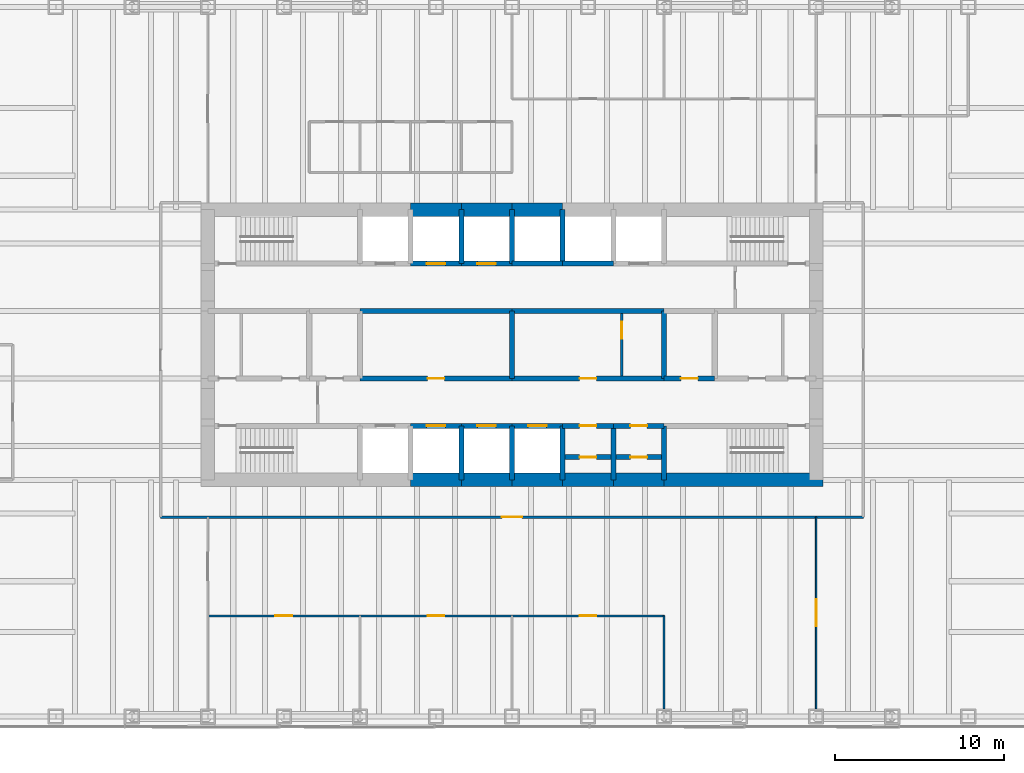
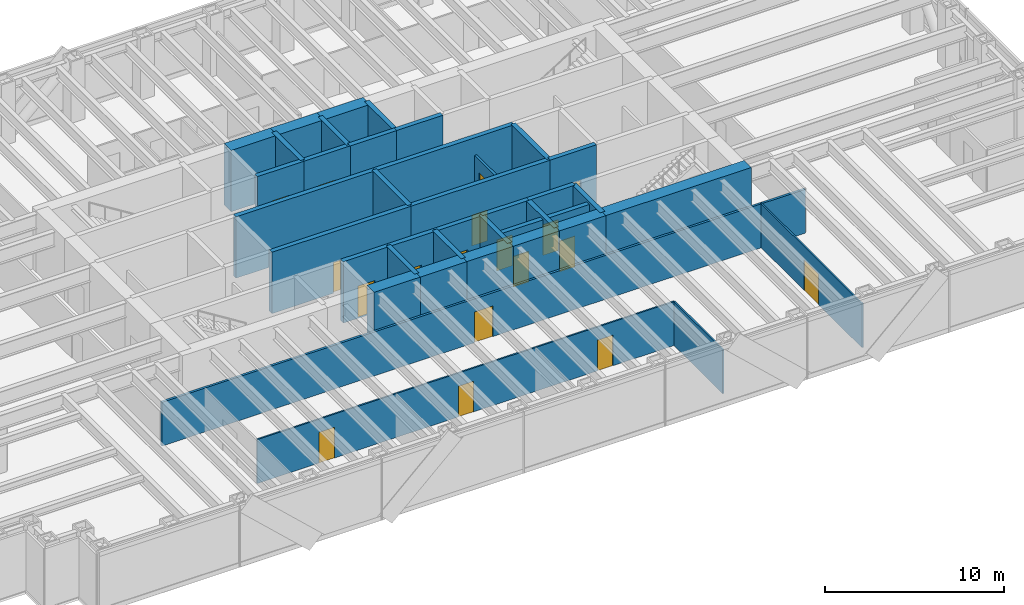
# One storey, part 11 of 14: 40 walls, 18 doors, 18 openings.
"""IFC4 building model written with IfcOpenShell, lengths in metres."""

from ifc_helpers import new_model, si_unit, direction, frame, frame_2d, origin, place, context, subcontext, project, spatial, rectangle, extrude, material, layer, layer_set, type_object, element, fill, save


model = new_model("IFC4")

# Units and contexts
model_context = context("Model", 3, precision=1e-05, world=origin(), true_north=direction((0.0, 1.0)))
body_context = subcontext(model_context, "Body", "Model", "MODEL_VIEW")
ifc_project = project(units=[si_unit("LENGTHUNIT", "METRE"), si_unit("AREAUNIT", "SQUARE_METRE"), si_unit("VOLUMEUNIT", "CUBIC_METRE"), si_unit("PLANEANGLEUNIT", "RADIAN"), si_unit("MASSUNIT", "GRAM", prefix="KILO")], contexts=[model_context])

# Site, building, storey
site_placement = place(None, origin())
site = spatial("IfcSite", under=ifc_project, at=site_placement, CompositionType="ELEMENT")
building_placement = place(site_placement, origin())
building = spatial("IfcBuilding", under=site, at=building_placement, Name="Rheinbord Bourse Tower", CompositionType="ELEMENT")
storey_placement = place(building_placement, frame((0.0, 0.0, 202.60009765625)))
storey = spatial("IfcBuildingStorey", under=building, at=storey_placement, Name="L45", CompositionType="ELEMENT", Elevation=202.60009765625)

# Wall, opening, door
ifc_material_1 = material(Name="Concrete C50/60", Category="concrete")
ifc_layer_1 = layer(ifc_material_1, 0.300048828125)
ifc_layer_set_1 = layer_set([ifc_layer_1], Name="CORE INNER WALL 300")
wall_type_1 = type_object("IfcWallType", Name="CORE INNER WALL 300", PredefinedType="SOLIDWALL", material=ifc_layer_set_1)
wall_1_placement = place(storey_placement, frame((30.0, 19.199951171875, 0.0), z_axis=(0.0, 0.0, 1.0), x_axis=(1.0, 0.0, 0.0)))
wall_1 = element("IfcWall", 1, at=wall_1_placement, inside=storey, type_object=wall_type_1, Name="Core wall A3 L45", PredefinedType="SOLIDWALL", context=body_context, shape_type="SweptSolid", body=[
    extrude(rectangle(XDim=3.0, YDim=0.300048828125, at=frame_2d((1.5, 0.0))), origin(), (0.0, 0.0, 1.0), 4.199951171875),
])
opening_1_placement = place(wall_1_placement, frame((0.949951171875, 0.0, 0.0)))
opening_1 = element("IfcOpeningElement", 2, at=opening_1_placement, cuts=wall_1, Name="Opening PC1", PredefinedType="OPENING", context=body_context, shape_type="SweptSolid", body=[
    extrude(rectangle(XDim=1.10009765625, YDim=2.199951171875, at=frame_2d((0.550048828125, 1.10009765625))), frame((0.0, 0.159912109375, 0.0), z_axis=(0.0, -1.0, 0.0), x_axis=(1.0, 0.0, 0.0)), (0.0, 0.0, 1.0), 0.320068359375),
])
ifc_material_2 = material(Name="Steel landing door", Category="steel")
door_type_1 = type_object("IfcDoorType", Name="LIFT LANDING DOOR 1100", OperationType="DOUBLE_DOOR_SLIDING", PredefinedType="USERDEFINED", material=ifc_material_2)
door_1_placement = place(opening_1_placement, origin())
door_1 = element("IfcDoor", 3, at=door_1_placement, inside=storey, type_object=door_type_1, Name="Lift landing door PC1 L45", ObjectType="LIFT LANDING DOOR", OperationType="DOUBLE_DOOR_SLIDING", OverallHeight=2.199951171875, OverallWidth=1.10009765625, PredefinedType="USERDEFINED", context=body_context, shape_type="SweptSolid", body=[
    extrude(rectangle(XDim=1.10009765625, YDim=2.199951171875, at=frame_2d((0.550048828125, 1.10009765625))), frame((0.0, 0.02490234375, 0.0), z_axis=(0.0, -1.0, 0.0), x_axis=(1.0, 0.0, 0.0)), (0.0, 0.0, 1.0), 0.050048828125),
])
fill(opening_1, door_1)

wall_2_placement = place(storey_placement, frame((33.0, 19.199951171875, 0.0), z_axis=(0.0, 0.0, 1.0), x_axis=(1.0, 0.0, 0.0)))
wall_2 = element("IfcWall", 4, at=wall_2_placement, inside=storey, type_object=wall_type_1, Name="Core wall A4 L45", PredefinedType="SOLIDWALL", context=body_context, shape_type="SweptSolid", body=[
    extrude(rectangle(XDim=3.0, YDim=0.300048828125, at=frame_2d((1.5, 0.0))), origin(), (0.0, 0.0, 1.0), 4.199951171875),
])
opening_2_placement = place(wall_2_placement, frame((0.949951171875, 0.0, 0.0)))
opening_2 = element("IfcOpeningElement", 5, at=opening_2_placement, cuts=wall_2, Name="Opening PC2", PredefinedType="OPENING", context=body_context, shape_type="SweptSolid", body=[
    extrude(rectangle(XDim=1.10009765625, YDim=2.199951171875, at=frame_2d((0.550048828125, 1.10009765625))), frame((0.0, 0.159912109375, 0.0), z_axis=(0.0, -1.0, 0.0), x_axis=(1.0, 0.0, 0.0)), (0.0, 0.0, 1.0), 0.320068359375),
])
door_2_placement = place(opening_2_placement, origin())
door_2 = element("IfcDoor", 6, at=door_2_placement, inside=storey, type_object=door_type_1, Name="Lift landing door PC2 L45", ObjectType="LIFT LANDING DOOR", OperationType="DOUBLE_DOOR_SLIDING", OverallHeight=2.199951171875, OverallWidth=1.10009765625, PredefinedType="USERDEFINED", context=body_context, shape_type="SweptSolid", body=[
    extrude(rectangle(XDim=1.10009765625, YDim=2.199951171875, at=frame_2d((0.550048828125, 1.10009765625))), frame((0.0, 0.02490234375, 0.0), z_axis=(0.0, -1.0, 0.0), x_axis=(1.0, 0.0, 0.0)), (0.0, 0.0, 1.0), 0.050048828125),
])
fill(opening_2, door_2)

wall_3_placement = place(storey_placement, frame((36.0, 19.199951171875, 0.0), z_axis=(0.0, 0.0, 1.0), x_axis=(1.0, 0.0, 0.0)))
wall_3 = element("IfcWall", 7, at=wall_3_placement, inside=storey, type_object=wall_type_1, Name="Core wall A5 L45", PredefinedType="SOLIDWALL", context=body_context, shape_type="SweptSolid", body=[
    extrude(rectangle(XDim=3.0, YDim=0.300048828125, at=frame_2d((1.5, 0.0))), origin(), (0.0, 0.0, 1.0), 4.199951171875),
])
opening_3_placement = place(wall_3_placement, frame((0.949951171875, 0.0, 0.0)))
opening_3 = element("IfcOpeningElement", 8, at=opening_3_placement, cuts=wall_3, Name="Opening PC3", PredefinedType="OPENING", context=body_context, shape_type="SweptSolid", body=[
    extrude(rectangle(XDim=1.10009765625, YDim=2.199951171875, at=frame_2d((0.550048828125, 1.10009765625))), frame((0.0, 0.159912109375, 0.0), z_axis=(0.0, -1.0, 0.0), x_axis=(1.0, 0.0, 0.0)), (0.0, 0.0, 1.0), 0.320068359375),
])
door_3_placement = place(opening_3_placement, origin())
door_3 = element("IfcDoor", 9, at=door_3_placement, inside=storey, type_object=door_type_1, Name="Lift landing door PC3 L45", ObjectType="LIFT LANDING DOOR", OperationType="DOUBLE_DOOR_SLIDING", OverallHeight=2.199951171875, OverallWidth=1.10009765625, PredefinedType="USERDEFINED", context=body_context, shape_type="SweptSolid", body=[
    extrude(rectangle(XDim=1.10009765625, YDim=2.199951171875, at=frame_2d((0.550048828125, 1.10009765625))), frame((0.0, 0.02490234375, 0.0), z_axis=(0.0, -1.0, 0.0), x_axis=(1.0, 0.0, 0.0)), (0.0, 0.0, 1.0), 0.050048828125),
])
fill(opening_3, door_3)

wall_4_placement = place(storey_placement, frame((39.0, 19.199951171875, 0.0), z_axis=(0.0, 0.0, 1.0), x_axis=(1.0, 0.0, 0.0)))
wall_4 = element("IfcWall", 10, at=wall_4_placement, inside=storey, type_object=wall_type_1, Name="Core wall A6 L45", PredefinedType="SOLIDWALL", context=body_context, shape_type="SweptSolid", body=[
    extrude(rectangle(XDim=3.0, YDim=0.300048828125, at=frame_2d((1.5, 0.0))), origin(), (0.0, 0.0, 1.0), 4.199951171875),
])
opening_4_placement = place(wall_4_placement, frame((1.0, 0.0, 0.0)))
opening_4 = element("IfcOpeningElement", 11, at=opening_4_placement, cuts=wall_4, Name="Opening 45R8", PredefinedType="OPENING", context=body_context, shape_type="SweptSolid", body=[
    extrude(rectangle(XDim=1.0, YDim=2.10009765625, at=frame_2d((0.5, 1.050048828125))), frame((0.0, 0.159912109375, 0.0), z_axis=(0.0, -1.0, 0.0), x_axis=(1.0, 0.0, 0.0)), (0.0, 0.0, 1.0), 0.320068359375),
])
ifc_material_3 = material(Name="Steel door", Category="steel")
door_type_2 = type_object("IfcDoorType", Name="DOOR 1000 EI30", OperationType="SINGLE_SWING_LEFT", PredefinedType="DOOR", material=ifc_material_3)
door_4_placement = place(opening_4_placement, origin())
door_4 = element("IfcDoor", 12, at=door_4_placement, inside=storey, type_object=door_type_2, Name="Stationery store door L45", OperationType="SINGLE_SWING_LEFT", OverallHeight=2.10009765625, OverallWidth=1.0, PredefinedType="DOOR", context=body_context, shape_type="SweptSolid", body=[
    extrude(rectangle(XDim=1.0, YDim=2.10009765625, at=frame_2d((0.5, 1.050048828125))), frame((0.0, 0.02490234375, 0.0), z_axis=(0.0, -1.0, 0.0), x_axis=(1.0, 0.0, 0.0)), (0.0, 0.0, 1.0), 0.050048828125),
])
fill(opening_4, door_4)

wall_5_placement = place(storey_placement, frame((42.0, 19.199951171875, 0.0), z_axis=(0.0, 0.0, 1.0), x_axis=(1.0, 0.0, 0.0)))
wall_5 = element("IfcWall", 13, at=wall_5_placement, inside=storey, type_object=wall_type_1, Name="Core wall A7 L45", PredefinedType="SOLIDWALL", context=body_context, shape_type="SweptSolid", body=[
    extrude(rectangle(XDim=3.0, YDim=0.300048828125, at=frame_2d((1.5, 0.0))), origin(), (0.0, 0.0, 1.0), 4.199951171875),
])
opening_5_placement = place(wall_5_placement, frame((1.0, 0.0, 0.0)))
opening_5 = element("IfcOpeningElement", 14, at=opening_5_placement, cuts=wall_5, Name="Opening 45R9", PredefinedType="OPENING", context=body_context, shape_type="SweptSolid", body=[
    extrude(rectangle(XDim=1.0, YDim=2.10009765625, at=frame_2d((0.5, 1.050048828125))), frame((0.0, 0.159912109375, 0.0), z_axis=(0.0, -1.0, 0.0), x_axis=(1.0, 0.0, 0.0)), (0.0, 0.0, 1.0), 0.320068359375),
])
door_5_placement = place(opening_5_placement, origin())
door_5 = element("IfcDoor", 15, at=door_5_placement, inside=storey, type_object=door_type_2, Name="Supplies store door L45", OperationType="SINGLE_SWING_LEFT", OverallHeight=2.10009765625, OverallWidth=1.0, PredefinedType="DOOR", context=body_context, shape_type="SweptSolid", body=[
    extrude(rectangle(XDim=1.0, YDim=2.10009765625, at=frame_2d((0.5, 1.050048828125))), frame((0.0, 0.02490234375, 0.0), z_axis=(0.0, -1.0, 0.0), x_axis=(1.0, 0.0, 0.0)), (0.0, 0.0, 1.0), 0.050048828125),
])
fill(opening_5, door_5)

wall_6_placement = place(storey_placement, frame((30.0, 28.800048828125, 0.0), z_axis=(0.0, 0.0, 1.0), x_axis=(1.0, 0.0, 0.0)))
wall_6 = element("IfcWall", 16, at=wall_6_placement, inside=storey, type_object=wall_type_1, Name="Core wall B3 L45", PredefinedType="SOLIDWALL", context=body_context, shape_type="SweptSolid", body=[
    extrude(rectangle(XDim=3.0, YDim=0.300048828125, at=frame_2d((1.5, 0.0))), origin(), (0.0, 0.0, 1.0), 4.199951171875),
])
opening_6_placement = place(wall_6_placement, frame((0.949951171875, 0.0, 0.0)))
opening_6 = element("IfcOpeningElement", 17, at=opening_6_placement, cuts=wall_6, Name="Opening PC4", PredefinedType="OPENING", context=body_context, shape_type="SweptSolid", body=[
    extrude(rectangle(XDim=1.10009765625, YDim=2.199951171875, at=frame_2d((0.550048828125, 1.10009765625))), frame((0.0, 0.159912109375, 0.0), z_axis=(0.0, -1.0, 0.0), x_axis=(1.0, 0.0, 0.0)), (0.0, 0.0, 1.0), 0.320068359375),
])
door_6_placement = place(opening_6_placement, origin())
door_6 = element("IfcDoor", 18, at=door_6_placement, inside=storey, type_object=door_type_1, Name="Lift landing door PC4 L45", ObjectType="LIFT LANDING DOOR", OperationType="DOUBLE_DOOR_SLIDING", OverallHeight=2.199951171875, OverallWidth=1.10009765625, PredefinedType="USERDEFINED", context=body_context, shape_type="SweptSolid", body=[
    extrude(rectangle(XDim=1.10009765625, YDim=2.199951171875, at=frame_2d((0.550048828125, 1.10009765625))), frame((0.0, 0.02490234375, 0.0), z_axis=(0.0, -1.0, 0.0), x_axis=(1.0, 0.0, 0.0)), (0.0, 0.0, 1.0), 0.050048828125),
])
fill(opening_6, door_6)

wall_7_placement = place(storey_placement, frame((33.0, 28.800048828125, 0.0), z_axis=(0.0, 0.0, 1.0), x_axis=(1.0, 0.0, 0.0)))
wall_7 = element("IfcWall", 19, at=wall_7_placement, inside=storey, type_object=wall_type_1, Name="Core wall B4 L45", PredefinedType="SOLIDWALL", context=body_context, shape_type="SweptSolid", body=[
    extrude(rectangle(XDim=3.0, YDim=0.300048828125, at=frame_2d((1.5, 0.0))), origin(), (0.0, 0.0, 1.0), 4.199951171875),
])
opening_7_placement = place(wall_7_placement, frame((0.949951171875, 0.0, 0.0)))
opening_7 = element("IfcOpeningElement", 20, at=opening_7_placement, cuts=wall_7, Name="Opening PC5", PredefinedType="OPENING", context=body_context, shape_type="SweptSolid", body=[
    extrude(rectangle(XDim=1.10009765625, YDim=2.199951171875, at=frame_2d((0.550048828125, 1.10009765625))), frame((0.0, 0.159912109375, 0.0), z_axis=(0.0, -1.0, 0.0), x_axis=(1.0, 0.0, 0.0)), (0.0, 0.0, 1.0), 0.320068359375),
])
door_7_placement = place(opening_7_placement, origin())
door_7 = element("IfcDoor", 21, at=door_7_placement, inside=storey, type_object=door_type_1, Name="Lift landing door PC5 L45", ObjectType="LIFT LANDING DOOR", OperationType="DOUBLE_DOOR_SLIDING", OverallHeight=2.199951171875, OverallWidth=1.10009765625, PredefinedType="USERDEFINED", context=body_context, shape_type="SweptSolid", body=[
    extrude(rectangle(XDim=1.10009765625, YDim=2.199951171875, at=frame_2d((0.550048828125, 1.10009765625))), frame((0.0, 0.02490234375, 0.0), z_axis=(0.0, -1.0, 0.0), x_axis=(1.0, 0.0, 0.0)), (0.0, 0.0, 1.0), 0.050048828125),
])
fill(opening_7, door_7)

# Walls
for number, where, z_axis, x_axis, name in (
    (22, (36.0, 28.800048828125, 0.0), (0.0, 0.0, 1.0), (1.0, 0.0, 0.0), "Core wall B5 L45"),
    (23, (39.0, 28.800048828125, 0.0), (0.0, 0.0, 1.0), (1.0, 0.0, 0.0), "Core wall B6 L45"),
):
    element("IfcWall", number, at=place(storey_placement, frame(where, z_axis=z_axis, x_axis=x_axis)), inside=storey, type_object=wall_type_1, Name=name, PredefinedType="SOLIDWALL", context=body_context, shape_type="SweptSolid", body=[
        extrude(rectangle(XDim=3.0, YDim=0.300048828125, at=frame_2d((1.5, 0.0))), origin(), (0.0, 0.0, 1.0), 4.199951171875),
    ])

# Wall, opening, door
wall_8_placement = place(storey_placement, frame((27.0, 22.0, 0.0), z_axis=(0.0, 0.0, 1.0), x_axis=(1.0, 0.0, 0.0)))
wall_8 = element("IfcWall", 24, at=wall_8_placement, inside=storey, type_object=wall_type_1, Name="Core wall C3 L45", PredefinedType="SOLIDWALL", context=body_context, shape_type="SweptSolid", body=[
    extrude(rectangle(XDim=9.0, YDim=0.300048828125, at=frame_2d((4.5, 0.0))), origin(), (0.0, 0.0, 1.0), 4.199951171875),
])
opening_8_placement = place(wall_8_placement, frame((4.0, 0.0, 0.0)))
opening_8 = element("IfcOpeningElement", 25, at=opening_8_placement, cuts=wall_8, Name="Opening 45R3", PredefinedType="OPENING", context=body_context, shape_type="SweptSolid", body=[
    extrude(rectangle(XDim=1.0, YDim=2.10009765625, at=frame_2d((0.5, 1.050048828125))), frame((0.0, 0.159912109375, 0.0), z_axis=(0.0, -1.0, 0.0), x_axis=(1.0, 0.0, 0.0)), (0.0, 0.0, 1.0), 0.320068359375),
])
door_8_placement = place(opening_8_placement, origin())
door_8 = element("IfcDoor", 26, at=door_8_placement, inside=storey, type_object=door_type_2, Name="Riser door L45", OperationType="SINGLE_SWING_LEFT", OverallHeight=2.10009765625, OverallWidth=1.0, PredefinedType="DOOR", context=body_context, shape_type="SweptSolid", body=[
    extrude(rectangle(XDim=1.0, YDim=2.10009765625, at=frame_2d((0.5, 1.050048828125))), frame((0.0, 0.02490234375, 0.0), z_axis=(0.0, -1.0, 0.0), x_axis=(1.0, 0.0, 0.0)), (0.0, 0.0, 1.0), 0.050048828125),
])
fill(opening_8, door_8)

wall_9_placement = place(storey_placement, frame((36.0, 22.0, 0.0), z_axis=(0.0, 0.0, 1.0), x_axis=(1.0, 0.0, 0.0)))
wall_9 = element("IfcWall", 27, at=wall_9_placement, inside=storey, type_object=wall_type_1, Name="Core wall C4 L45", PredefinedType="SOLIDWALL", context=body_context, shape_type="SweptSolid", body=[
    extrude(rectangle(XDim=9.0, YDim=0.300048828125, at=frame_2d((4.5, 0.0))), origin(), (0.0, 0.0, 1.0), 4.199951171875),
])
opening_9_placement = place(wall_9_placement, frame((4.0, 0.0, 0.0)))
opening_9 = element("IfcOpeningElement", 28, at=opening_9_placement, cuts=wall_9, Name="Opening 45R4", PredefinedType="OPENING", context=body_context, shape_type="SweptSolid", body=[
    extrude(rectangle(XDim=1.0, YDim=2.10009765625, at=frame_2d((0.5, 1.050048828125))), frame((0.0, 0.159912109375, 0.0), z_axis=(0.0, -1.0, 0.0), x_axis=(1.0, 0.0, 0.0)), (0.0, 0.0, 1.0), 0.320068359375),
])
door_9_placement = place(opening_9_placement, origin())
door_9 = element("IfcDoor", 29, at=door_9_placement, inside=storey, type_object=door_type_2, Name="Print room door L45", OperationType="SINGLE_SWING_LEFT", OverallHeight=2.10009765625, OverallWidth=1.0, PredefinedType="DOOR", context=body_context, shape_type="SweptSolid", body=[
    extrude(rectangle(XDim=1.0, YDim=2.10009765625, at=frame_2d((0.5, 1.050048828125))), frame((0.0, 0.02490234375, 0.0), z_axis=(0.0, -1.0, 0.0), x_axis=(1.0, 0.0, 0.0)), (0.0, 0.0, 1.0), 0.050048828125),
])
fill(opening_9, door_9)

wall_10_placement = place(storey_placement, frame((45.0, 22.0, 0.0), z_axis=(0.0, 0.0, 1.0), x_axis=(1.0, 0.0, 0.0)))
wall_10 = element("IfcWall", 30, at=wall_10_placement, inside=storey, type_object=wall_type_1, Name="Core wall C5 L45", PredefinedType="SOLIDWALL", context=body_context, shape_type="SweptSolid", body=[
    extrude(rectangle(XDim=3.0, YDim=0.300048828125, at=frame_2d((1.5, 0.0))), origin(), (0.0, 0.0, 1.0), 4.199951171875),
])
opening_10_placement = place(wall_10_placement, frame((1.0, 0.0, 0.0)))
opening_10 = element("IfcOpeningElement", 31, at=opening_10_placement, cuts=wall_10, Name="Opening 45R5", PredefinedType="OPENING", context=body_context, shape_type="SweptSolid", body=[
    extrude(rectangle(XDim=1.0, YDim=2.10009765625, at=frame_2d((0.5, 1.050048828125))), frame((0.0, 0.159912109375, 0.0), z_axis=(0.0, -1.0, 0.0), x_axis=(1.0, 0.0, 0.0)), (0.0, 0.0, 1.0), 0.320068359375),
])
ifc_material_4 = material(Name="Timber door", Category="wood")
door_type_3 = type_object("IfcDoorType", Name="DOOR 1000 WC", OperationType="SINGLE_SWING_LEFT", PredefinedType="DOOR", material=ifc_material_4)
door_10_placement = place(opening_10_placement, origin())
door_10 = element("IfcDoor", 32, at=door_10_placement, inside=storey, type_object=door_type_3, Name="Accessible WC door L45", OperationType="SINGLE_SWING_LEFT", OverallHeight=2.10009765625, OverallWidth=1.0, PredefinedType="DOOR", context=body_context, shape_type="SweptSolid", body=[
    extrude(rectangle(XDim=1.0, YDim=2.10009765625, at=frame_2d((0.5, 1.050048828125))), frame((0.0, 0.02490234375, 0.0), z_axis=(0.0, -1.0, 0.0), x_axis=(1.0, 0.0, 0.0)), (0.0, 0.0, 1.0), 0.050048828125),
])
fill(opening_10, door_10)

# Walls
for number, where, z_axis, x_axis, name in (
    (33, (27.0, 26.0, 0.0), (0.0, 0.0, 1.0), (1.0, 0.0, 0.0), "Core wall D3 L45"),
    (34, (36.0, 26.0, 0.0), (0.0, 0.0, 1.0), (1.0, 0.0, 0.0), "Core wall D4 L45"),
):
    element("IfcWall", number, at=place(storey_placement, frame(where, z_axis=z_axis, x_axis=x_axis)), inside=storey, type_object=wall_type_1, Name=name, PredefinedType="SOLIDWALL", context=body_context, shape_type="SweptSolid", body=[
        extrude(rectangle(XDim=9.0, YDim=0.300048828125, at=frame_2d((4.5, 0.0))), origin(), (0.0, 0.0, 1.0), 4.199951171875),
    ])
for number, where, z_axis, x_axis, name in (
    (35, (33.0, 16.0, 0.0), (0.0, 0.0, 1.0), (0.0, 1.0, 0.0), "Core wall SX33 L45"),
    (36, (33.0, 28.800048828125, 0.0), (0.0, 0.0, 1.0), (0.0, 1.0, 0.0), "Core wall NX33 L45"),
    (37, (36.0, 16.0, 0.0), (0.0, 0.0, 1.0), (0.0, 1.0, 0.0), "Core wall SX36 L45"),
    (38, (36.0, 28.800048828125, 0.0), (0.0, 0.0, 1.0), (0.0, 1.0, 0.0), "Core wall NX36 L45"),
    (39, (39.0, 16.0, 0.0), (0.0, 0.0, 1.0), (0.0, 1.0, 0.0), "Core wall SX39 L45"),
    (40, (39.0, 28.800048828125, 0.0), (0.0, 0.0, 1.0), (0.0, 1.0, 0.0), "Core wall NX39 L45"),
    (41, (42.0, 16.0, 0.0), (0.0, 0.0, 1.0), (0.0, 1.0, 0.0), "Core wall SX42 L45"),
    (42, (45.0, 16.0, 0.0), (0.0, 0.0, 1.0), (0.0, 1.0, 0.0), "Core wall SX45 L45"),
):
    element("IfcWall", number, at=place(storey_placement, frame(where, z_axis=z_axis, x_axis=x_axis)), inside=storey, type_object=wall_type_1, Name=name, PredefinedType="SOLIDWALL", context=body_context, shape_type="SweptSolid", body=[
        extrude(rectangle(XDim=3.199951171875, YDim=0.300048828125, at=frame_2d((1.60009765625, 0.0))), origin(), (0.0, 0.0, 1.0), 4.199951171875),
    ])
for number, where, z_axis, x_axis, name in (
    (43, (36.0, 22.0, 0.0), (0.0, 0.0, 1.0), (0.0, 1.0, 0.0), "Core wall MX36 L45"),
    (44, (45.0, 22.0, 0.0), (0.0, 0.0, 1.0), (0.0, 1.0, 0.0), "Core wall MX45 L45"),
):
    element("IfcWall", number, at=place(storey_placement, frame(where, z_axis=z_axis, x_axis=x_axis)), inside=storey, type_object=wall_type_1, Name=name, PredefinedType="SOLIDWALL", context=body_context, shape_type="SweptSolid", body=[
        extrude(rectangle(XDim=4.0, YDim=0.300048828125, at=frame_2d((2.0, 0.0))), origin(), (0.0, 0.0, 1.0), 4.199951171875),
    ])

# Wall, opening, door
wall_11_placement = place(storey_placement, frame((39.14990234375, 17.35009765625, 0.0), z_axis=(0.0, 0.0, 1.0), x_axis=(1.0, 0.0, 0.0)))
wall_11 = element("IfcWall", 45, at=wall_11_placement, inside=storey, type_object=wall_type_1, Name="Core riser wall L45-6", PredefinedType="SOLIDWALL", context=body_context, shape_type="SweptSolid", body=[
    extrude(rectangle(XDim=2.7001953125, YDim=0.300048828125, at=frame_2d((1.35009765625, 0.0))), origin(), (0.0, 0.0, 1.0), 4.039794921875),
])
opening_11_placement = place(wall_11_placement, frame((0.85009765625, 0.0, 0.0)))
opening_11 = element("IfcOpeningElement", 46, at=opening_11_placement, cuts=wall_11, Name="Opening 45R12", PredefinedType="OPENING", context=body_context, shape_type="SweptSolid", body=[
    extrude(rectangle(XDim=1.0, YDim=2.10009765625, at=frame_2d((0.5, 1.050048828125))), frame((0.0, 0.159912109375, 0.0), z_axis=(0.0, -1.0, 0.0), x_axis=(1.0, 0.0, 0.0)), (0.0, 0.0, 1.0), 0.320068359375),
])
door_11_placement = place(opening_11_placement, origin())
door_11 = element("IfcDoor", 47, at=door_11_placement, inside=storey, type_object=door_type_2, Name="Comms riser door L45", OperationType="SINGLE_SWING_LEFT", OverallHeight=2.10009765625, OverallWidth=1.0, PredefinedType="DOOR", context=body_context, shape_type="SweptSolid", body=[
    extrude(rectangle(XDim=1.0, YDim=2.10009765625, at=frame_2d((0.5, 1.050048828125))), frame((0.0, 0.02490234375, 0.0), z_axis=(0.0, -1.0, 0.0), x_axis=(1.0, 0.0, 0.0)), (0.0, 0.0, 1.0), 0.050048828125),
])
fill(opening_11, door_11)

wall_12_placement = place(storey_placement, frame((42.14990234375, 17.35009765625, 0.0), z_axis=(0.0, 0.0, 1.0), x_axis=(1.0, 0.0, 0.0)))
wall_12 = element("IfcWall", 48, at=wall_12_placement, inside=storey, type_object=wall_type_1, Name="Core riser wall L45-7", PredefinedType="SOLIDWALL", context=body_context, shape_type="SweptSolid", body=[
    extrude(rectangle(XDim=2.7001953125, YDim=0.300048828125, at=frame_2d((1.35009765625, 0.0))), origin(), (0.0, 0.0, 1.0), 4.039794921875),
])
opening_12_placement = place(wall_12_placement, frame((0.85009765625, 0.0, 0.0)))
opening_12 = element("IfcOpeningElement", 49, at=opening_12_placement, cuts=wall_12, Name="Opening 45R13", PredefinedType="OPENING", context=body_context, shape_type="SweptSolid", body=[
    extrude(rectangle(XDim=1.0, YDim=2.10009765625, at=frame_2d((0.5, 1.050048828125))), frame((0.0, 0.159912109375, 0.0), z_axis=(0.0, -1.0, 0.0), x_axis=(1.0, 0.0, 0.0)), (0.0, 0.0, 1.0), 0.320068359375),
])
door_12_placement = place(opening_12_placement, origin())
door_12 = element("IfcDoor", 50, at=door_12_placement, inside=storey, type_object=door_type_2, Name="Electrical riser door L45", OperationType="SINGLE_SWING_LEFT", OverallHeight=2.10009765625, OverallWidth=1.0, PredefinedType="DOOR", context=body_context, shape_type="SweptSolid", body=[
    extrude(rectangle(XDim=1.0, YDim=2.10009765625, at=frame_2d((0.5, 1.050048828125))), frame((0.0, 0.02490234375, 0.0), z_axis=(0.0, -1.0, 0.0), x_axis=(1.0, 0.0, 0.0)), (0.0, 0.0, 1.0), 0.050048828125),
])
fill(opening_12, door_12)

ifc_material_5 = material(Name="Gypsum board fire partition", Category="gypsum board")
ifc_layer_2 = layer(ifc_material_5, 0.14990234375)
ifc_layer_set_2 = layer_set([ifc_layer_2], Name="CORE PARTITION 150 EI30")
wall_type_2 = type_object("IfcWallType", Name="CORE PARTITION 150 EI30", PredefinedType="PARTITIONING", material=ifc_layer_set_2)
wall_13_placement = place(storey_placement, frame((42.5, 22.14990234375, 0.0), z_axis=(0.0, 0.0, 1.0), x_axis=(0.0, 1.0, 0.0)))
wall_13 = element("IfcWall", 51, at=wall_13_placement, inside=storey, type_object=wall_type_2, Name="Core partition L45-1", PredefinedType="PARTITIONING", context=body_context, shape_type="SweptSolid", body=[
    extrude(rectangle(XDim=3.7001953125, YDim=0.14990234375, at=frame_2d((1.85009765625, 0.0))), origin(), (0.0, 0.0, 1.0), 3.0),
])
opening_13_placement = place(wall_13_placement, frame((2.199951171875, 0.0, 0.0)))
opening_13 = element("IfcOpeningElement", 52, at=opening_13_placement, cuts=wall_13, Name="Opening 45R7", PredefinedType="OPENING", context=body_context, shape_type="SweptSolid", body=[
    extrude(rectangle(XDim=1.0, YDim=2.10009765625, at=frame_2d((0.5, 1.050048828125))), frame((0.0, 0.0849609375, 0.0), z_axis=(0.0, -1.0, 0.0), x_axis=(1.0, 0.0, 0.0)), (0.0, 0.0, 1.0), 0.169921875),
])
door_13_placement = place(opening_13_placement, origin())
door_13 = element("IfcDoor", 53, at=door_13_placement, inside=storey, type_object=door_type_2, Name="Paper store door L45", OperationType="SINGLE_SWING_RIGHT", OverallHeight=2.10009765625, OverallWidth=1.0, PredefinedType="DOOR", context=body_context, shape_type="SweptSolid", body=[
    extrude(rectangle(XDim=1.0, YDim=2.10009765625, at=frame_2d((0.5, 1.050048828125))), frame((0.0, 0.02490234375, 0.0), z_axis=(0.0, -1.0, 0.0), x_axis=(1.0, 0.0, 0.0)), (0.0, 0.0, 1.0), 0.050048828125),
])
fill(opening_13, door_13)

# Walls
ifc_material_6 = material(Name="Concrete C50/60", Category="concrete")
ifc_layer_3 = layer(ifc_material_6, 0.800048828125)
ifc_layer_set_3 = layer_set([ifc_layer_3], Name="CORE WALL 800")
wall_type_3 = type_object("IfcWallType", Name="CORE WALL 800", PredefinedType="SHEAR", material=ifc_layer_set_3)
for number, where, z_axis, x_axis, name in (
    (54, (30.0, 16.0, 0.0), (0.0, 0.0, 1.0), (1.0, 0.0, 0.0), "Core wall S3 L45"),
    (55, (33.0, 16.0, 0.0), (0.0, 0.0, 1.0), (1.0, 0.0, 0.0), "Core wall S4 L45"),
    (56, (36.0, 16.0, 0.0), (0.0, 0.0, 1.0), (1.0, 0.0, 0.0), "Core wall S5 L45"),
    (57, (39.0, 16.0, 0.0), (0.0, 0.0, 1.0), (1.0, 0.0, 0.0), "Core wall S6 L45"),
    (58, (42.0, 16.0, 0.0), (0.0, 0.0, 1.0), (1.0, 0.0, 0.0), "Core wall S7 L45"),
):
    element("IfcWall", number, at=place(storey_placement, frame(where, z_axis=z_axis, x_axis=x_axis)), inside=storey, type_object=wall_type_3, Name=name, PredefinedType="SHEAR", context=body_context, shape_type="SweptSolid", body=[
        extrude(rectangle(XDim=3.0, YDim=0.800048828125, at=frame_2d((1.5, 0.0))), origin(), (0.0, 0.0, 1.0), 4.199951171875),
    ])
wall_14_placement = place(storey_placement, frame((45.0, 16.0, 0.0), z_axis=(0.0, 0.0, 1.0), x_axis=(1.0, 0.0, 0.0)))
element("IfcWall", 59, at=wall_14_placement, inside=storey, type_object=wall_type_3, Name="Core wall S8 L45", PredefinedType="SHEAR", context=body_context, shape_type="SweptSolid", body=[
    extrude(rectangle(XDim=9.39990234375, YDim=0.800048828125, at=frame_2d((4.699951171875, 0.0))), origin(), (0.0, 0.0, 1.0), 4.199951171875),
])
for number, where, z_axis, x_axis, name in (
    (60, (39.0, 32.0, 0.0), (0.0, 0.0, 1.0), (-1.0, 0.0, 0.0), "Core wall N4 L45"),
    (61, (36.0, 32.0, 0.0), (0.0, 0.0, 1.0), (-1.0, 0.0, 0.0), "Core wall N5 L45"),
    (62, (33.0, 32.0, 0.0), (0.0, 0.0, 1.0), (-1.0, 0.0, 0.0), "Core wall N6 L45"),
):
    element("IfcWall", number, at=place(storey_placement, frame(where, z_axis=z_axis, x_axis=x_axis)), inside=storey, type_object=wall_type_3, Name=name, PredefinedType="SHEAR", context=body_context, shape_type="SweptSolid", body=[
        extrude(rectangle(XDim=3.0, YDim=0.800048828125, at=frame_2d((1.5, 0.0))), origin(), (0.0, 0.0, 1.0), 4.199951171875),
    ])

# Wall, opening, door
ifc_material_7 = material(Name="Gypsum board corridor partition", Category="gypsum board")
ifc_layer_4 = layer(ifc_material_7, 0.14990234375)
ifc_layer_set_4 = layer_set([ifc_layer_4], Name="CORRIDOR PARTITION 150 EI30")
wall_type_4 = type_object("IfcWallType", Name="CORRIDOR PARTITION 150 EI30", PredefinedType="PARTITIONING", material=ifc_layer_set_4)
wall_15_placement = place(storey_placement, frame((15.199951171875, 13.800048828125, 0.0), z_axis=(0.0, 0.0, 1.0), x_axis=(1.0, 0.0, 0.0)))
wall_15 = element("IfcWall", 63, at=wall_15_placement, inside=storey, type_object=wall_type_4, Name="Partition L45-03", PredefinedType="PARTITIONING", context=body_context, shape_type="SweptSolid", body=[
    extrude(rectangle(XDim=41.60009765625, YDim=0.14990234375, at=frame_2d((20.800048828125, 0.0))), origin(), (0.0, 0.0, 1.0), 3.0),
])
opening_14_placement = place(wall_15_placement, frame((20.199951171875, 0.0, 0.0)))
opening_14 = element("IfcOpeningElement", 64, at=opening_14_placement, cuts=wall_15, Name="Opening 45D21", PredefinedType="OPENING", context=body_context, shape_type="SweptSolid", body=[
    extrude(rectangle(XDim=1.199951171875, YDim=2.10009765625, at=frame_2d((0.60009765625, 1.050048828125))), frame((0.0, 0.0849609375, 0.0), z_axis=(0.0, -1.0, 0.0), x_axis=(1.0, 0.0, 0.0)), (0.0, 0.0, 1.0), 0.169921875),
])
ifc_material_8 = material(Name="Timber fire door", Category="wood")
door_type_4 = type_object("IfcDoorType", Name="SUITE ENTRANCE DOOR 1200 EI30", OperationType="SINGLE_SWING_LEFT", PredefinedType="DOOR", material=ifc_material_8)
door_14_placement = place(opening_14_placement, origin())
door_14 = element("IfcDoor", 65, at=door_14_placement, inside=storey, type_object=door_type_4, Name="Suite entrance 3 door L45", OperationType="SINGLE_SWING_RIGHT", OverallHeight=2.10009765625, OverallWidth=1.199951171875, PredefinedType="DOOR", context=body_context, shape_type="SweptSolid", body=[
    extrude(rectangle(XDim=1.199951171875, YDim=2.10009765625, at=frame_2d((0.60009765625, 1.050048828125))), frame((0.0, 0.02490234375, 0.0), z_axis=(0.0, -1.0, 0.0), x_axis=(1.0, 0.0, 0.0)), (0.0, 0.0, 1.0), 0.050048828125),
])
fill(opening_14, door_14)

# Wall, openings, doors
ifc_material_9 = material(Name="Toughened laminated glass partition", Category="glass")
ifc_layer_5 = layer(ifc_material_9, 0.10009765625)
ifc_layer_set_5 = layer_set([ifc_layer_5], Name="GLAZED PARTITION 100")
wall_type_5 = type_object("IfcWallType", Name="GLAZED PARTITION 100", PredefinedType="PARTITIONING", material=ifc_layer_set_5)
wall_16_placement = place(storey_placement, frame((18.0, 7.949951171875, 0.0), z_axis=(0.0, 0.0, 1.0), x_axis=(1.0, 0.0, 0.0)))
wall_16 = element("IfcWall", 66, at=wall_16_placement, inside=storey, type_object=wall_type_5, Name="Partition L45-01", PredefinedType="PARTITIONING", context=body_context, shape_type="SweptSolid", body=[
    extrude(rectangle(XDim=27.0, YDim=0.10009765625, at=frame_2d((13.5, 0.0))), origin(), (0.0, 0.0, 1.0), 3.0),
])
opening_15_placement = place(wall_16_placement, frame((4.0, 0.0, 0.0)))
opening_15 = element("IfcOpeningElement", 67, at=opening_15_placement, cuts=wall_16, Name="Opening 45D01", PredefinedType="OPENING", context=body_context, shape_type="SweptSolid", body=[
    extrude(rectangle(XDim=1.0, YDim=2.10009765625, at=frame_2d((0.5, 1.050048828125))), frame((0.0, 0.06005859375, 0.0), z_axis=(0.0, -1.0, 0.0), x_axis=(1.0, 0.0, 0.0)), (0.0, 0.0, 1.0), 0.1201171875),
])
opening_16_placement = place(wall_16_placement, frame((13.0, 0.0, 0.0)))
opening_16 = element("IfcOpeningElement", 68, at=opening_16_placement, cuts=wall_16, Name="Opening 45D02", PredefinedType="OPENING", context=body_context, shape_type="SweptSolid", body=[
    extrude(rectangle(XDim=1.0, YDim=2.10009765625, at=frame_2d((0.5, 1.050048828125))), frame((0.0, 0.06005859375, 0.0), z_axis=(0.0, -1.0, 0.0), x_axis=(1.0, 0.0, 0.0)), (0.0, 0.0, 1.0), 0.1201171875),
])
opening_17_placement = place(wall_16_placement, frame((22.0, 0.0, 0.0)))
opening_17 = element("IfcOpeningElement", 69, at=opening_17_placement, cuts=wall_16, Name="Opening 45D03", PredefinedType="OPENING", context=body_context, shape_type="SweptSolid", body=[
    extrude(rectangle(XDim=1.0, YDim=2.10009765625, at=frame_2d((0.5, 1.050048828125))), frame((0.0, 0.06005859375, 0.0), z_axis=(0.0, -1.0, 0.0), x_axis=(1.0, 0.0, 0.0)), (0.0, 0.0, 1.0), 0.1201171875),
])
ifc_material_10 = material(Name="Timber door", Category="wood")
door_type_5 = type_object("IfcDoorType", Name="ROOM DOOR 1000", OperationType="SINGLE_SWING_LEFT", PredefinedType="DOOR", material=ifc_material_10)
door_15_placement = place(opening_15_placement, origin())
door_15 = element("IfcDoor", 70, at=door_15_placement, inside=storey, type_object=door_type_5, Name="Team room door L45", OperationType="SINGLE_SWING_LEFT", OverallHeight=2.10009765625, OverallWidth=1.0, PredefinedType="DOOR", context=body_context, shape_type="SweptSolid", body=[
    extrude(rectangle(XDim=1.0, YDim=2.10009765625, at=frame_2d((0.5, 1.050048828125))), frame((0.0, 0.02490234375, 0.0), z_axis=(0.0, -1.0, 0.0), x_axis=(1.0, 0.0, 0.0)), (0.0, 0.0, 1.0), 0.050048828125),
])
fill(opening_15, door_15)
door_16_placement = place(opening_16_placement, origin())
door_16 = element("IfcDoor", 71, at=door_16_placement, inside=storey, type_object=door_type_5, Name="Team room door L45", OperationType="SINGLE_SWING_LEFT", OverallHeight=2.10009765625, OverallWidth=1.0, PredefinedType="DOOR", context=body_context, shape_type="SweptSolid", body=[
    extrude(rectangle(XDim=1.0, YDim=2.10009765625, at=frame_2d((0.5, 1.050048828125))), frame((0.0, 0.02490234375, 0.0), z_axis=(0.0, -1.0, 0.0), x_axis=(1.0, 0.0, 0.0)), (0.0, 0.0, 1.0), 0.050048828125),
])
fill(opening_16, door_16)
door_17_placement = place(opening_17_placement, origin())
door_17 = element("IfcDoor", 72, at=door_17_placement, inside=storey, type_object=door_type_5, Name="Team room door L45", OperationType="SINGLE_SWING_RIGHT", OverallHeight=2.10009765625, OverallWidth=1.0, PredefinedType="DOOR", context=body_context, shape_type="SweptSolid", body=[
    extrude(rectangle(XDim=1.0, YDim=2.10009765625, at=frame_2d((0.5, 1.050048828125))), frame((0.0, 0.02490234375, 0.0), z_axis=(0.0, -1.0, 0.0), x_axis=(1.0, 0.0, 0.0)), (0.0, 0.0, 1.0), 0.050048828125),
])
fill(opening_17, door_17)

# Wall
wall_17_placement = place(storey_placement, frame((45.0, 2.449951171875, 0.0), z_axis=(0.0, 0.0, 1.0), x_axis=(0.0, 1.0, 0.0)))
element("IfcWall", 73, at=wall_17_placement, inside=storey, type_object=wall_type_5, Name="Partition L45-29", PredefinedType="PARTITIONING", context=body_context, shape_type="SweptSolid", body=[
    extrude(rectangle(XDim=5.5, YDim=0.10009765625, at=frame_2d((2.75, 0.0))), origin(), (0.0, 0.0, 1.0), 3.0),
])

# Wall, opening, door
wall_18_placement = place(storey_placement, frame((54.0, 2.449951171875, 0.0), z_axis=(0.0, 0.0, 1.0), x_axis=(0.0, 1.0, 0.0)))
wall_18 = element("IfcWall", 74, at=wall_18_placement, inside=storey, type_object=wall_type_5, Name="Partition L45-31", PredefinedType="PARTITIONING", context=body_context, shape_type="SweptSolid", body=[
    extrude(rectangle(XDim=11.35009765625, YDim=0.10009765625, at=frame_2d((5.675048828125, 0.0))), origin(), (0.0, 0.0, 1.0), 3.0),
])
opening_18_placement = place(wall_18_placement, frame((4.875, 0.0, 0.0)))
opening_18 = element("IfcOpeningElement", 75, at=opening_18_placement, cuts=wall_18, Name="Opening 45D17", PredefinedType="OPENING", context=body_context, shape_type="SweptSolid", body=[
    extrude(rectangle(XDim=1.60009765625, YDim=2.10009765625, at=frame_2d((0.800048828125, 1.050048828125))), frame((0.0, 0.06005859375, 0.0), z_axis=(0.0, -1.0, 0.0), x_axis=(1.0, 0.0, 0.0)), (0.0, 0.0, 1.0), 0.1201171875),
])
ifc_material_11 = material(Name="Timber door", Category="wood")
door_type_6 = type_object("IfcDoorType", Name="DOUBLE ROOM DOOR 1600", OperationType="DOUBLE_DOOR_DOUBLE_SWING", PredefinedType="DOOR", material=ifc_material_11)
door_18_placement = place(opening_18_placement, origin())
door_18 = element("IfcDoor", 76, at=door_18_placement, inside=storey, type_object=door_type_6, Name="Open area door L45", OperationType="SINGLE_SWING_LEFT", OverallHeight=2.10009765625, OverallWidth=1.60009765625, PredefinedType="DOOR", context=body_context, shape_type="SweptSolid", body=[
    extrude(rectangle(XDim=1.60009765625, YDim=2.10009765625, at=frame_2d((0.800048828125, 1.050048828125))), frame((0.0, 0.02490234375, 0.0), z_axis=(0.0, -1.0, 0.0), x_axis=(1.0, 0.0, 0.0)), (0.0, 0.0, 1.0), 0.050048828125),
])
fill(opening_18, door_18)

save(model, "model.ifc")
